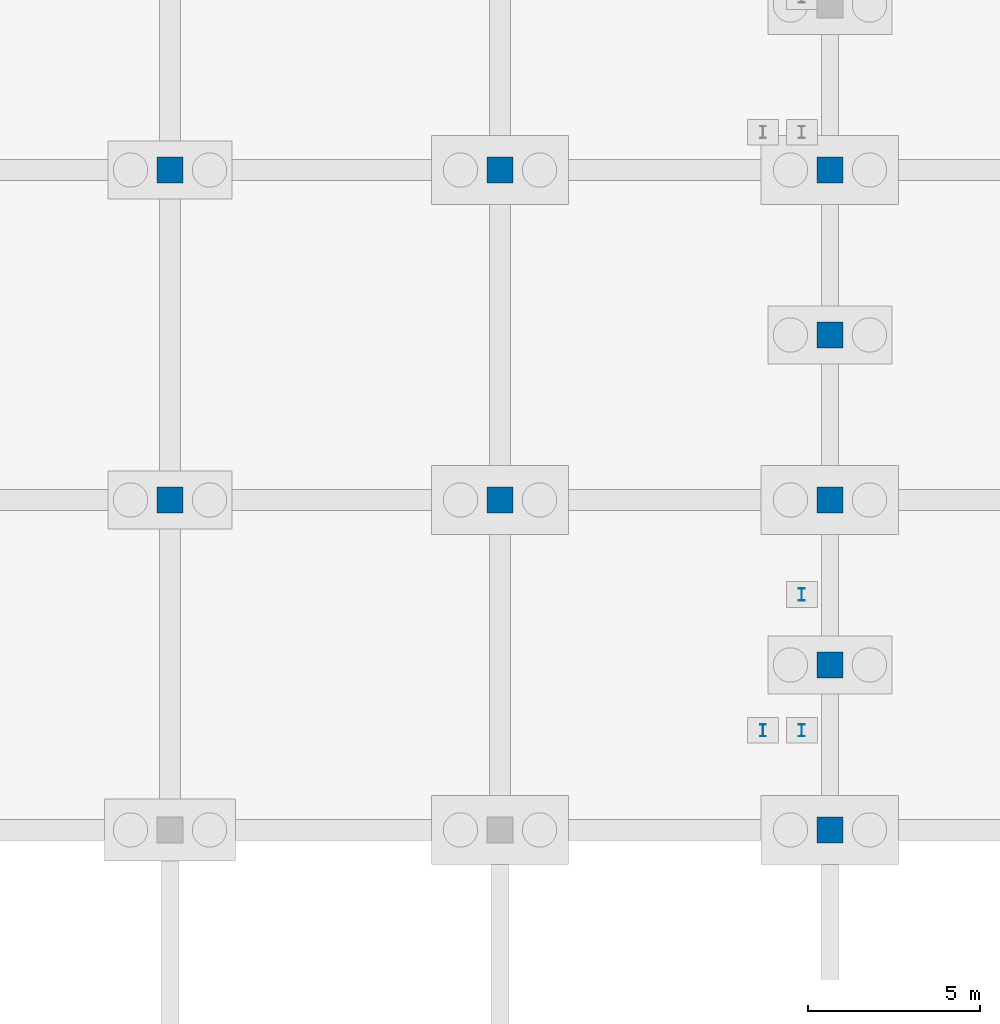
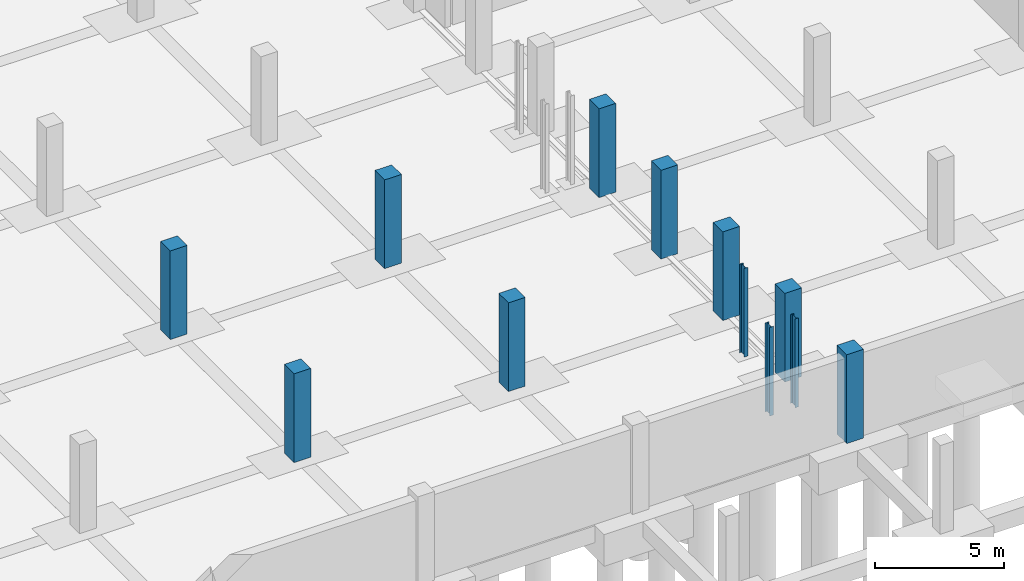
# One storey, part 13 of 54: 12 columns.
"""IFC4 building model written with IfcOpenShell, lengths in metres."""

from ifc_helpers import new_model, si_unit, direction, frame, origin, origin_2d, place, context, subcontext, project, spatial, rectangle, i_section, extrude, material, material_profile, profile_set, type_object, element, save


model = new_model("IFC4")

# Units and contexts
model_context = context("Model", 3, precision=1e-05, world=origin(), true_north=direction((0.0, 1.0)))
body_context = subcontext(model_context, "Body", "Model", "MODEL_VIEW")
ifc_project = project(units=[si_unit("LENGTHUNIT", "METRE"), si_unit("AREAUNIT", "SQUARE_METRE"), si_unit("VOLUMEUNIT", "CUBIC_METRE"), si_unit("PLANEANGLEUNIT", "RADIAN"), si_unit("MASSUNIT", "GRAM", prefix="KILO")], contexts=[model_context])

# Site, building, storey
site_placement = place(None, origin())
site = spatial("IfcSite", under=ifc_project, at=site_placement, CompositionType="ELEMENT")
building_placement = place(site_placement, origin())
building = spatial("IfcBuilding", under=site, at=building_placement, Name="Zevrakil Square Congress Hotel", CompositionType="ELEMENT")
storey_placement = place(building_placement, frame((0.0, 0.0, -8.39990234375)))
storey = spatial("IfcBuildingStorey", under=building, at=storey_placement, Name="B2", CompositionType="ELEMENT", Elevation=-8.39990234375)

# Columns
ifc_material_1 = material(Name="Steel S355", Category="steel")
ifc_material_profile_1 = material_profile(ifc_material_1, i_section(OverallWidth=0.169921875, OverallDepth=0.360107421875, WebThickness=0.008056640625, FlangeThickness=0.0126953125, FilletRadius=0.01806640625, at=origin_2d()), Name="IPE 360")
ifc_profile_set_1 = profile_set([ifc_material_profile_1], Name="Steel S355")
column_type_1 = type_object("IfcColumnType", Name="COL-PILASTER-SHS180", PredefinedType="PILASTER", material=ifc_profile_set_1)
for number, where, z_axis, x_axis, name in (
    (1, (53.25, 10.10009765625, 0.0), (0.0, 0.0, 1.0), (1.0, 0.0, 0.0), "B2 ST12 stair shaft post 1"),
    (2, (54.3798828125, 10.10009765625, 0.0), (0.0, 0.0, 1.0), (1.0, 0.0, 0.0), "B2 ST12 stair shaft post 2"),
    (3, (54.3798828125, 14.050048828125, 0.0), (0.0, 0.0, 1.0), (1.0, 0.0, 0.0), "B2 ST12 stair shaft post 3"),
):
    element("IfcColumn", number, at=place(storey_placement, frame(where, z_axis=z_axis, x_axis=x_axis)), inside=storey, type_object=column_type_1, Name=name, PredefinedType="PILASTER", context=body_context, shape_type="SweptSolid", body=[
        extrude(i_section(OverallWidth=0.169921875, OverallDepth=0.360107421875, WebThickness=0.008056640625, FlangeThickness=0.0126953125, FilletRadius=0.01806640625, at=origin_2d()), origin(), (0.0, 0.0, 1.0), 4.199951171875),
    ])
ifc_material_2 = material(Name="Concrete C40/50", Category="concrete")
ifc_material_profile_2 = material_profile(ifc_material_2, rectangle(XDim=0.75, YDim=0.75, at=origin_2d()), Name="RC 750x750")
ifc_profile_set_2 = profile_set([ifc_material_profile_2], Name="Concrete C40/50")
column_type_2 = type_object("IfcColumnType", Name="COL-RC750", PredefinedType="COLUMN", material=ifc_profile_set_2)
for number, where, z_axis, x_axis, name in (
    (4, (36.0, 16.800048828125, 0.0), (0.0, 0.0, 1.0), (1.0, 0.0, 0.0), "B2 column C-055"),
    (5, (36.0, 26.39990234375, 0.0), (0.0, 0.0, 1.0), (1.0, 0.0, 0.0), "B2 column C-056"),
    (6, (45.60009765625, 16.800048828125, 0.0), (0.0, 0.0, 1.0), (1.0, 0.0, 0.0), "B2 column C-069"),
    (7, (45.60009765625, 26.39990234375, 0.0), (0.0, 0.0, 1.0), (1.0, 0.0, 0.0), "B2 column C-070"),
    (8, (55.199951171875, 7.199951171875, 0.0), (0.0, 0.0, 1.0), (1.0, 0.0, 0.0), "B2 column C-082"),
    (9, (55.199951171875, 12.0, 0.0), (0.0, 0.0, 1.0), (1.0, 0.0, 0.0), "B2 column C-083"),
    (10, (55.199951171875, 16.800048828125, 0.0), (0.0, 0.0, 1.0), (1.0, 0.0, 0.0), "B2 column C-084"),
    (11, (55.199951171875, 21.60009765625, 0.0), (0.0, 0.0, 1.0), (1.0, 0.0, 0.0), "B2 column C-085"),
    (12, (55.199951171875, 26.39990234375, 0.0), (0.0, 0.0, 1.0), (1.0, 0.0, 0.0), "B2 column C-086"),
):
    element("IfcColumn", number, at=place(storey_placement, frame(where, z_axis=z_axis, x_axis=x_axis)), inside=storey, type_object=column_type_2, Name=name, PredefinedType="COLUMN", context=body_context, shape_type="SweptSolid", body=[
        extrude(rectangle(XDim=0.75, YDim=0.75, at=origin_2d()), origin(), (0.0, 0.0, 1.0), 4.199951171875),
    ])

save(model, "model.ifc")
